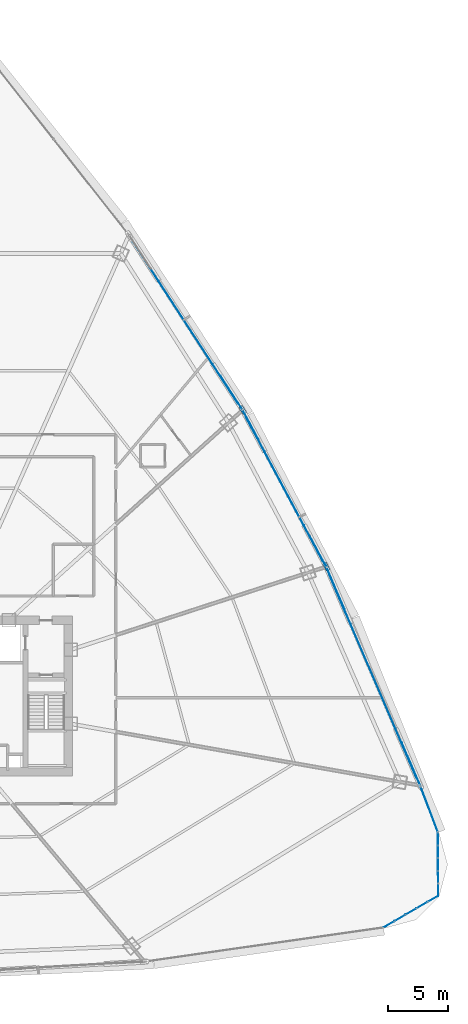
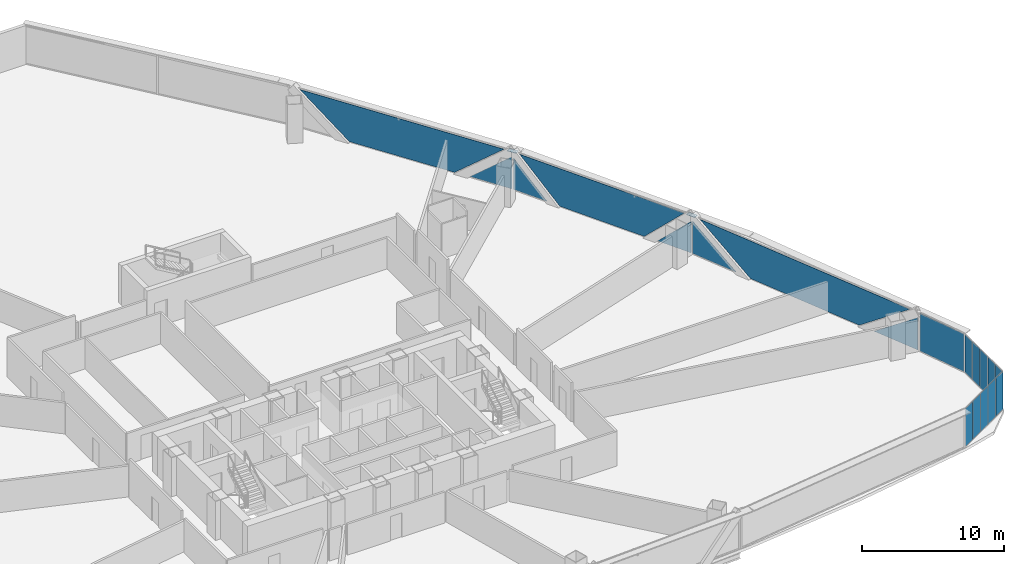
# One storey, part 33 of 42: 21 plates, 6 elements without a shape of their own.
"""IFC4 building model written with IfcOpenShell, lengths in metres."""

from ifc_helpers import new_model, si_unit, direction, frame, origin, origin_2d, place, context, subcontext, project, spatial, polyline, rectangle, outline, extrude, source, transform, mapped, material, layer, layer_set, type_object, element, aggregate, save


model = new_model("IFC4")

# Units and contexts
model_context = context("Model", 3, precision=1e-05, world=origin(), true_north=direction((0.0, 1.0)))
body_context = subcontext(model_context, "Body", "Model", "MODEL_VIEW")
ifc_project = project(units=[si_unit("LENGTHUNIT", "METRE"), si_unit("AREAUNIT", "SQUARE_METRE"), si_unit("VOLUMEUNIT", "CUBIC_METRE"), si_unit("PLANEANGLEUNIT", "RADIAN"), si_unit("MASSUNIT", "GRAM", prefix="KILO"), si_unit("THERMODYNAMICTEMPERATUREUNIT", "KELVIN"), si_unit("POWERUNIT", "WATT")], contexts=[model_context])

# Site, building, storey
site_placement = place(None, origin())
site = spatial("IfcSite", under=ifc_project, at=site_placement, CompositionType="ELEMENT")
building_placement = place(site_placement, origin())
building = spatial("IfcBuilding", under=site, at=building_placement, Name="Yunzhuo Pagoda Commons", CompositionType="ELEMENT")
storey_placement = place(building_placement, frame((0.0, 0.0, 44.919921875)))
storey = spatial("IfcBuildingStorey", under=building, at=storey_placement, Name="L11", CompositionType="ELEMENT", Elevation=44.919921875)

# Curtain wall, plates
ifc_material_1 = material(Name="Anodized aluminium 6063-T6", Category="aluminium")
ifc_layer_1 = layer(ifc_material_1, 0.1650390625)
ifc_layer_set_1 = layer_set([ifc_layer_1], Name="Anodized aluminium 6063-T6")
curtain_wall_type_1 = type_object("IfcCurtainWallType", Name="CW-LOW Low-Zone Ribbon Curtain Wall", PredefinedType="NOTDEFINED", material=ifc_layer_set_1)
curtain_wall_1_placement = place(storey_placement, origin())
curtain_wall_1 = element("IfcCurtainWall", 1, at=curtain_wall_1_placement, inside=storey, type_object=curtain_wall_type_1, Name="L11 curtain wall CW-L11-F2B2", PredefinedType="NOTDEFINED")
ifc_material_2 = material(Name="Tempered low-e double glazing", Category="glass")
ifc_layer_2 = layer(ifc_material_2, 0.028076171875)
ifc_layer_set_2 = layer_set([ifc_layer_2], Name="Tempered low-e double glazing")
plate_type_1 = type_object("IfcPlateType", Name="CW-LOW-P Low-E Double Glazing 28", PredefinedType="CURTAIN_PANEL", material=ifc_layer_set_2)
plate_1_placement = place(storey_placement, frame((88.962158203125, 28.157470703125, 1.45654296875), z_axis=(0.918865619656, 0.394570618538, 0.0), x_axis=(-0.394570618538, 0.918865619656, 0.0)))
plate_1 = element("IfcPlate", 2, at=plate_1_placement, type_object=plate_type_1, Name="CW panel 1.1 lite 1", PredefinedType="CURTAIN_PANEL", context=body_context, shape_type="SweptSolid", body=[
    extrude(outline(polyline([(-1.9228515625, -1.396484375), (1.922607421875, -1.396484375), (-1.9228515625, 1.396484375), (-1.9228515625, -1.396484375)])), origin(), (0.0, 0.0, 1.0), 0.028076171875),
])
plate_2_placement = place(storey_placement, frame((85.775146484375, 35.503662109375, 1.68505859375), z_axis=(0.918865619656, 0.394570618538, 0.0), x_axis=(-0.394570618538, 0.918865619656, 0.0)))
plate_2 = element("IfcPlate", 3, at=plate_2_placement, type_object=plate_type_1, Name="CW panel 1.1 lite 2", PredefinedType="CURTAIN_PANEL", context=body_context, shape_type="SweptSolid", body=[
    extrude(outline(polyline([(-9.26611328125, 1.625), (-4.791748046875, -1.625), (4.791748046875, -1.625), (9.26611328125, 1.625), (-9.26611328125, 1.625)])), origin(), (0.0, 0.0, 1.0), 0.028076171875),
])
plate_3_placement = place(storey_placement, frame((82.64306640625, 42.87353515625, 1.45654296875), z_axis=(0.918865619656, 0.394570618538, 0.0), x_axis=(-0.394570618538, 0.918865619656, 0.0)))
plate_3 = element("IfcPlate", 4, at=plate_3_placement, type_object=plate_type_1, Name="CW panel 1.1 lite 3", PredefinedType="CURTAIN_PANEL", context=body_context, shape_type="SweptSolid", body=[
    extrude(outline(polyline([(-1.922607421875, -1.396484375), (1.9228515625, -1.396484375), (1.9228515625, 1.396484375), (-1.922607421875, -1.396484375)])), origin(), (0.0, 0.0, 1.0), 0.028076171875),
])
aggregate(curtain_wall_1, [plate_1, plate_2, plate_3])

curtain_wall_2_placement = place(storey_placement, origin())
curtain_wall_2 = element("IfcCurtainWall", 5, at=curtain_wall_2_placement, inside=storey, type_object=curtain_wall_type_1, Name="L11 curtain wall CW-L11-F2B3", PredefinedType="NOTDEFINED")
plate_4_placement = place(storey_placement, frame((81.171630859375, 45.98828125, 1.41845703125), z_axis=(0.88230916381, 0.470670308662, 0.0), x_axis=(-0.470670308662, 0.88230916381, 0.0)))
plate_4 = element("IfcPlate", 6, at=plate_4_placement, type_object=plate_type_1, Name="CW panel 1.1 lite 1", PredefinedType="CURTAIN_PANEL", context=body_context, shape_type="SweptSolid", body=[
    extrude(outline(polyline([(-1.39599609375, -1.3583984375), (1.39599609375, -1.3583984375), (-1.39599609375, 1.3583984375), (-1.39599609375, -1.3583984375)])), origin(), (0.0, 0.0, 1.0), 0.028076171875),
])
plate_5_placement = place(storey_placement, frame((78.320556640625, 51.268798828125, 1.68505859375), z_axis=(0.88230916381, 0.470670308662, 0.0), x_axis=(-0.470670308662, 0.88230916381, 0.0)))
plate_5 = element("IfcPlate", 7, at=plate_5_placement, type_object=plate_type_1, Name="CW panel 1.1 lite 2", PredefinedType="CURTAIN_PANEL", context=body_context, shape_type="SweptSolid", body=[
    extrude(outline(polyline([(-6.85546875, 1.625), (-3.51513671875, -1.625), (3.514892578125, -1.625), (6.85546875, 1.625), (-6.85546875, 1.625)])), origin(), (0.0, 0.0, 1.0), 0.028076171875),
])
plate_6_placement = place(storey_placement, frame((75.5224609375, 56.57763671875, 1.41845703125), z_axis=(0.88230916381, 0.470670308662, 0.0), x_axis=(-0.470670308662, 0.88230916381, 0.0)))
plate_6 = element("IfcPlate", 8, at=plate_6_placement, type_object=plate_type_1, Name="CW panel 1.1 lite 3", PredefinedType="CURTAIN_PANEL", context=body_context, shape_type="SweptSolid", body=[
    extrude(outline(polyline([(-1.39599609375, -1.3583984375), (1.39599609375, -1.3583984375), (1.39599609375, 1.3583984375), (-1.39599609375, -1.3583984375)])), origin(), (0.0, 0.0, 1.0), 0.028076171875),
])
aggregate(curtain_wall_2, [plate_4, plate_5, plate_6])

curtain_wall_3_placement = place(storey_placement, origin())
curtain_wall_3 = element("IfcCurtainWall", 9, at=curtain_wall_3_placement, inside=storey, type_object=curtain_wall_type_1, Name="L11 curtain wall CW-L11-F2B4", PredefinedType="NOTDEFINED")
plate_7_placement = place(storey_placement, frame((73.892578125, 59.318359375, 1.44140625), z_axis=(0.838709783089, 0.54457864423, 0.0), x_axis=(-0.54457864423, 0.838709783089, 0.0)))
plate_7 = element("IfcPlate", 10, at=plate_7_placement, type_object=plate_type_1, Name="CW panel 1.1 lite 1", PredefinedType="CURTAIN_PANEL", context=body_context, shape_type="SweptSolid", body=[
    extrude(outline(polyline([(-1.666748046875, -1.38134765625), (1.666748046875, -1.38134765625), (-1.666748046875, 1.38134765625), (-1.666748046875, -1.38134765625)])), origin(), (0.0, 0.0, 1.0), 0.028076171875),
])
plate_8_placement = place(storey_placement, frame((70.03955078125, 65.197265625, 1.68505859375), z_axis=(0.838709783089, 0.54457864423, 0.0), x_axis=(-0.54457864423, 0.838709783089, 0.0)))
plate_8 = element("IfcPlate", 11, at=plate_8_placement, type_object=plate_type_1, Name="CW panel 1.1 lite 2", PredefinedType="CURTAIN_PANEL", context=body_context, shape_type="SweptSolid", body=[
    extrude(outline(polyline([(-8.0927734375, 1.625), (-4.1708984375, -1.625), (4.1708984375, -1.625), (8.0927734375, 1.625), (-8.0927734375, 1.625)])), origin(), (0.0, 0.0, 1.0), 0.028076171875),
])
aggregate(curtain_wall_3, [plate_7, plate_8])

# Plates
ifc_material_3 = material(Name="Structural steel Q355B", Category="steel")
ifc_layer_3 = layer(ifc_material_3, 0.028076171875)
ifc_layer_set_3 = layer_set([ifc_layer_3], Name="Structural steel Q355B")
plate_type_2 = type_object("IfcPlateType", Name="SP-ND1 Lattice Node Cap Plate 800x500x28", PredefinedType="USERDEFINED", material=ifc_layer_set_3)
shared_shape_1 = source(origin(), body_context, "Body", "SweptSolid", [
    extrude(rectangle(XDim=0.699951171875, YDim=0.35009765625, at=origin_2d()), origin(), (0.0, 0.0, 1.0), 0.035888671875),
])
for number, where, z_axis, x_axis, name in (
    (12, (81.87158203125, 44.70556640625, 3.33203125), (0.0, 0.0, 1.0), (-0.470673134105, 0.882307656564, 0.0), "L11 setback lattice tie plate F2.2L"),
    (13, (74.847412109375, 57.873291015625, 3.33203125), (0.0, 0.0, 1.0), (-0.544580483437, 0.838708588879, 0.0), "L11 setback lattice tie plate F2.3L"),
):
    element("IfcPlate", number, at=place(storey_placement, frame(where, z_axis=z_axis, x_axis=x_axis)), inside=storey, type_object=plate_type_2, Name=name, ObjectType="STIFFENER_PLATE", PredefinedType="USERDEFINED", context=body_context, shape_type="MappedRepresentation", body=[
        mapped(shared_shape_1, transform((0.0, 0.0, 0.0), scale=1.0)),
    ])

# Curtain wall, plate
curtain_wall_4_placement = place(storey_placement, origin())
curtain_wall_4 = element("IfcCurtainWall", 14, at=curtain_wall_4_placement, inside=storey, type_object=curtain_wall_type_1, Name="L11 curtain wall CW-L11-F2B1", PredefinedType="NOTDEFINED")
shared_shape_2 = source(origin(), body_context, "Body", "SweptSolid", [
    extrude(rectangle(XDim=4.019775390625, YDim=0.028076171875, at=origin_2d()), origin(), (0.0, 0.0, 1.0), 3.25),
])
plate_9_placement = place(storey_placement, frame((90.518798828125, 24.3251953125, 0.06005859375), z_axis=(0.0, 0.0, 1.0), x_axis=(-0.353150780113, 0.935566420146, 0.0)))
plate_9 = element("IfcPlate", 15, at=plate_9_placement, type_object=plate_type_1, Name="CW panel 1.1", PredefinedType="CURTAIN_PANEL", context=body_context, shape_type="MappedRepresentation", body=[
    mapped(shared_shape_2, transform((0.0, 0.0, 0.0), scale=1.0)),
])
aggregate(curtain_wall_4, [plate_9])

# Curtain wall, plates
ifc_layer_4 = layer(ifc_material_1, 0.1298828125)
ifc_layer_set_4 = layer_set([ifc_layer_4], Name="Anodized aluminium 6063-T6")
curtain_wall_type_2 = type_object("IfcCurtainWallType", Name="CW-VTX Rounded Corner Curtain Wall", PredefinedType="NOTDEFINED", material=ifc_layer_set_4)
curtain_wall_5_placement = place(storey_placement, origin())
curtain_wall_5 = element("IfcCurtainWall", 16, at=curtain_wall_5_placement, inside=storey, type_object=curtain_wall_type_2, Name="L11 curtain wall CW-L11-VTX2S1", PredefinedType="NOTDEFINED")
ifc_layer_5 = layer(ifc_material_2, 0.02587890625)
ifc_layer_set_5 = layer_set([ifc_layer_5], Name="Tempered low-e double glazing")
plate_type_3 = type_object("IfcPlateType", Name="CW-VTX-P Low-E Double Glazing 26", PredefinedType="CURTAIN_PANEL", material=ifc_layer_set_5)
shared_shape_3 = source(origin(), body_context, "Body", "SweptSolid", [
    extrude(rectangle(XDim=0.990478515625, YDim=0.028076171875, at=origin_2d()), origin(), (0.0, 0.0, 1.0), 3.260009765625),
])
plate_10_placement = place(storey_placement, frame((87.144287109375, 14.677001953125, 0.05517578125), z_axis=(0.0, 0.0, 1.0), x_axis=(0.865423307498, 0.501041414295, 0.0)))
plate_10 = element("IfcPlate", 17, at=plate_10_placement, type_object=plate_type_3, Name="CW panel 1.1", PredefinedType="CURTAIN_PANEL", context=body_context, shape_type="MappedRepresentation", body=[
    mapped(shared_shape_3, transform((0.0, 0.0, 0.0), scale=1.0)),
])
plate_11_placement = place(storey_placement, frame((90.83447265625, 16.8134765625, 0.05517578125), z_axis=(0.0, 0.0, 1.0), x_axis=(0.865423307498, 0.501041414295, 0.0)))
plate_11 = element("IfcPlate", 18, at=plate_11_placement, type_object=plate_type_3, Name="CW panel 5.1", PredefinedType="CURTAIN_PANEL", context=body_context, shape_type="MappedRepresentation", body=[
    mapped(shared_shape_3, transform((0.0, 0.0, 0.0), scale=1.0)),
])

curtain_wall_6_placement = place(storey_placement, origin())
curtain_wall_6 = element("IfcCurtainWall", 19, at=curtain_wall_6_placement, inside=storey, type_object=curtain_wall_type_2, Name="L11 curtain wall CW-L11-VTX2S2", PredefinedType="NOTDEFINED")
plate_12_placement = place(storey_placement, frame((91.268798828125, 17.56982421875, 0.05517578125), z_axis=(0.0, 0.0, 1.0), x_axis=(-0.003579061808, 0.999993595138, 0.0)))
plate_12 = element("IfcPlate", 20, at=plate_12_placement, type_object=plate_type_3, Name="CW panel 1.1", PredefinedType="CURTAIN_PANEL", context=body_context, shape_type="MappedRepresentation", body=[
    mapped(shared_shape_3, transform((0.0, 0.0, 0.0), scale=1.0)),
])
plate_13_placement = place(storey_placement, frame((91.25341796875, 21.833984375, 0.05517578125), z_axis=(0.0, 0.0, 1.0), x_axis=(-0.003579061808, 0.999993595138, 0.0)))
plate_13 = element("IfcPlate", 21, at=plate_13_placement, type_object=plate_type_3, Name="CW panel 5.1", PredefinedType="CURTAIN_PANEL", context=body_context, shape_type="MappedRepresentation", body=[
    mapped(shared_shape_3, transform((0.0, 0.0, 0.0), scale=1.0)),
])

# Plate
shared_shape_4 = source(origin(), body_context, "Body", "SweptSolid", [
    extrude(rectangle(XDim=1.017822265625, YDim=0.028076171875, at=origin_2d()), origin(), (0.0, 0.0, 1.0), 3.260009765625),
])
plate_14_placement = place(storey_placement, frame((88.060791015625, 15.20751953125, 0.05517578125), z_axis=(0.0, 0.0, 1.0), x_axis=(0.865423307498, 0.501041414295, 0.0)))
plate_14 = element("IfcPlate", 22, at=plate_14_placement, type_object=plate_type_3, Name="CW panel 2.1", PredefinedType="CURTAIN_PANEL", context=body_context, shape_type="MappedRepresentation", body=[
    mapped(shared_shape_4, transform((0.0, 0.0, 0.0), scale=1.0)),
])

plate_15_placement = place(storey_placement, frame((88.9892578125, 15.7451171875, 0.05517578125), z_axis=(0.0, 0.0, 1.0), x_axis=(0.865423307498, 0.501041414295, 0.0)))
plate_15 = element("IfcPlate", 23, at=plate_15_placement, type_object=plate_type_3, Name="CW panel 3.1", PredefinedType="CURTAIN_PANEL", context=body_context, shape_type="MappedRepresentation", body=[
    mapped(shared_shape_4, transform((0.0, 0.0, 0.0), scale=1.0)),
])

plate_16_placement = place(storey_placement, frame((89.91796875, 16.28271484375, 0.05517578125), z_axis=(0.0, 0.0, 1.0), x_axis=(0.865423307498, 0.501041414295, 0.0)))
plate_16 = element("IfcPlate", 24, at=plate_16_placement, type_object=plate_type_3, Name="CW panel 4.1", PredefinedType="CURTAIN_PANEL", context=body_context, shape_type="MappedRepresentation", body=[
    mapped(shared_shape_4, transform((0.0, 0.0, 0.0), scale=1.0)),
])

aggregate(curtain_wall_5, [plate_10, plate_14, plate_15, plate_16, plate_11])

plate_17_placement = place(storey_placement, frame((91.264892578125, 18.62890625, 0.05517578125), z_axis=(0.0, 0.0, 1.0), x_axis=(-0.003579061808, 0.999993595138, 0.0)))
plate_17 = element("IfcPlate", 25, at=plate_17_placement, type_object=plate_type_3, Name="CW panel 2.1", PredefinedType="CURTAIN_PANEL", context=body_context, shape_type="MappedRepresentation", body=[
    mapped(shared_shape_4, transform((0.0, 0.0, 0.0), scale=1.0)),
])

plate_18_placement = place(storey_placement, frame((91.260986328125, 19.701904296875, 0.05517578125), z_axis=(0.0, 0.0, 1.0), x_axis=(-0.003579061808, 0.999993595138, 0.0)))
plate_18 = element("IfcPlate", 26, at=plate_18_placement, type_object=plate_type_3, Name="CW panel 3.1", PredefinedType="CURTAIN_PANEL", context=body_context, shape_type="MappedRepresentation", body=[
    mapped(shared_shape_4, transform((0.0, 0.0, 0.0), scale=1.0)),
])

plate_19_placement = place(storey_placement, frame((91.25732421875, 20.774658203125, 0.05517578125), z_axis=(0.0, 0.0, 1.0), x_axis=(-0.003579061808, 0.999993595138, 0.0)))
plate_19 = element("IfcPlate", 27, at=plate_19_placement, type_object=plate_type_3, Name="CW panel 4.1", PredefinedType="CURTAIN_PANEL", context=body_context, shape_type="MappedRepresentation", body=[
    mapped(shared_shape_4, transform((0.0, 0.0, 0.0), scale=1.0)),
])

aggregate(curtain_wall_6, [plate_12, plate_17, plate_18, plate_19, plate_13])

save(model, "model.ifc")
